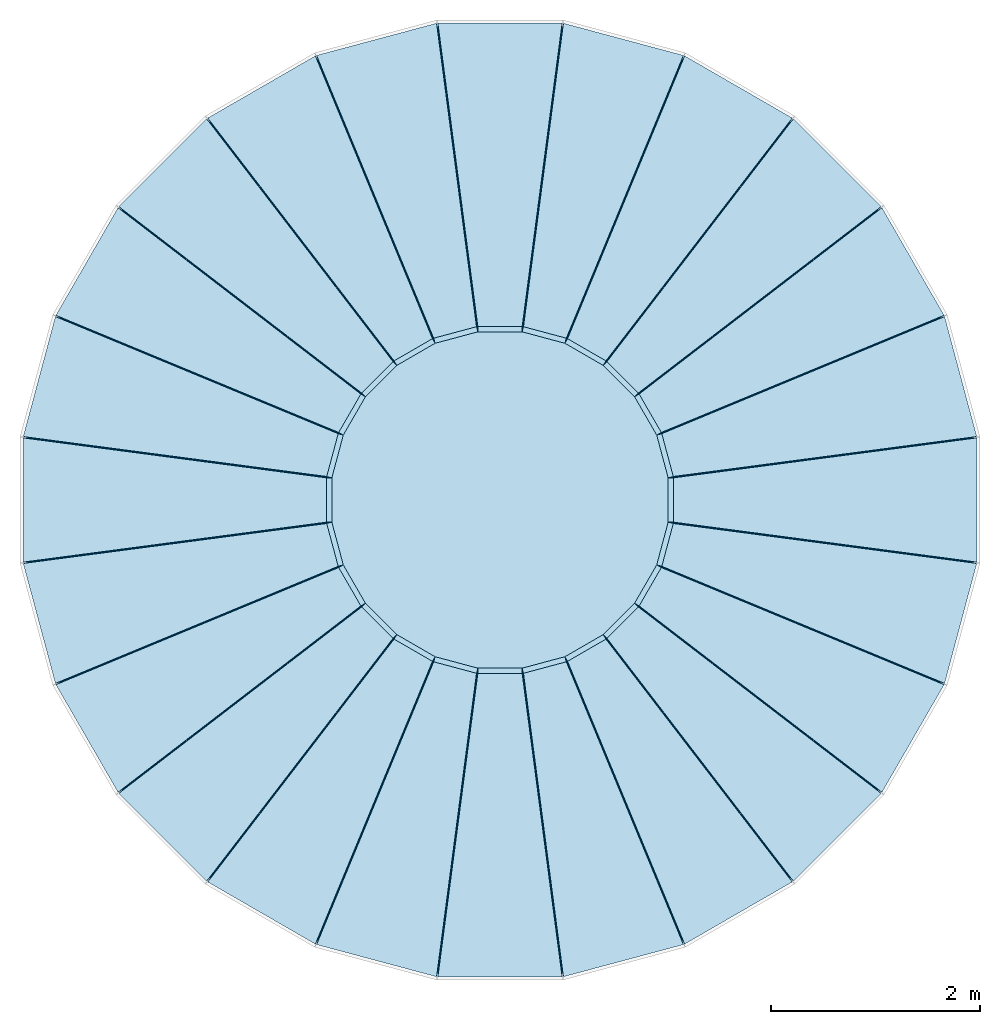
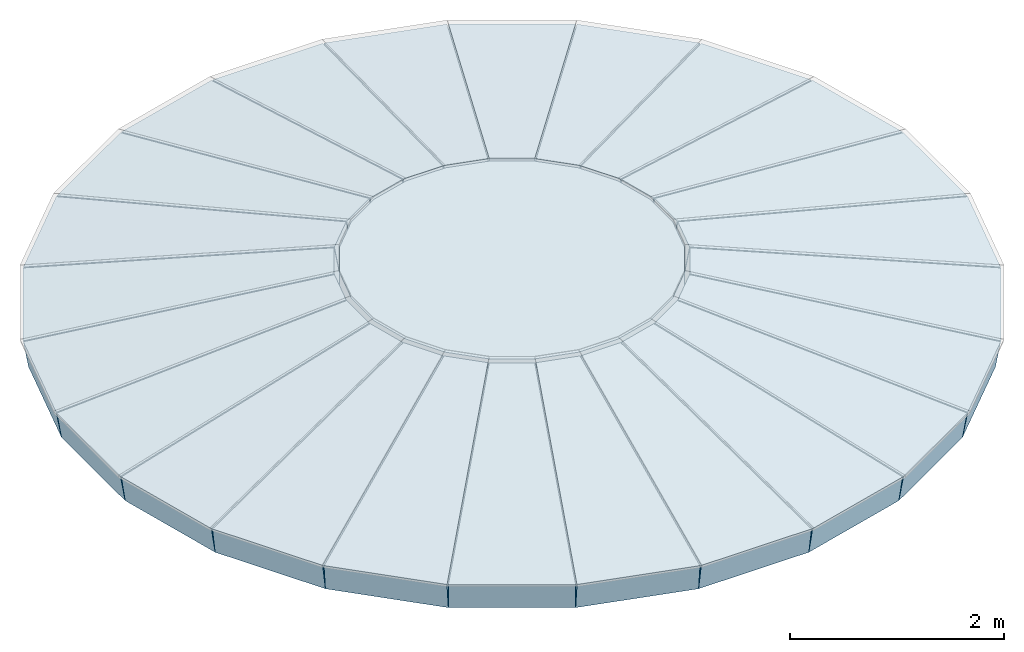
# One storey, part 1 of 2: 25 slabs.
"""IFC4 building model written with IfcOpenShell, lengths in metres."""

from ifc_helpers import new_model, si_unit, direction, frame, origin, place, context, subcontext, project, spatial, polyline, outline, extrude, material, layer, layer_set, type_object, element, save


model = new_model("IFC4")

# Units and contexts
model_context = context("Model", 3, precision=1e-05, world=origin(), true_north=direction((0.0, 1.0)))
body_context = subcontext(model_context, "Body", "Model", "MODEL_VIEW")
ifc_project = project(units=[si_unit("LENGTHUNIT", "METRE"), si_unit("AREAUNIT", "SQUARE_METRE"), si_unit("VOLUMEUNIT", "CUBIC_METRE"), si_unit("PLANEANGLEUNIT", "RADIAN"), si_unit("MASSUNIT", "GRAM", prefix="KILO")], contexts=[model_context])

# Site, building, storey
site_placement = place(None, origin())
site = spatial("IfcSite", under=ifc_project, at=site_placement, CompositionType="ELEMENT")
building_placement = place(site_placement, origin())
building = spatial("IfcBuilding", under=site, at=building_placement, Name="Golden Quay Civic Hall", CompositionType="ELEMENT")
storey_placement = place(building_placement, frame((0.0, 0.0, 35.199951171875)))
storey = spatial("IfcBuildingStorey", under=building, at=storey_placement, Name="Roof Crown", CompositionType="ELEMENT", Elevation=35.199951171875)

# Slabs
ifc_material = material(Name="Concrete C40/50", Category="concrete")
ifc_layer = layer(ifc_material, 0.300048828125)
ifc_layer_set = layer_set([ifc_layer], Name="Dome shell D1 300")
slab_type = type_object("IfcSlabType", Name="Dome shell D1 300", PredefinedType="ROOF", material=ifc_layer_set)
slab_1_placement = place(storey_placement, frame((90.069091796875, 86.108154296875, 1.0224609375), z_axis=(0.163110984276, 0.043714152329, 0.985638818074), x_axis=(-0.258862666428, 0.965914136934, -7.84674e-07)))
element("IfcSlab", 1, at=slab_1_placement, inside=storey, type_object=slab_type, Name="Dome shell panel 6.1", PredefinedType="ROOF", context=body_context, shape_type="SweptSolid", body=[
    extrude(outline(polyline([(0.0, 0.0), (1.19022811422238, -5.551115123125783e-17), (0.8075034210777096, 2.950790590232646), (0.38312401780501076, 2.9507830876413856), (0.0, 0.0)])), origin(), (0.0, 0.0, -1.0), 0.300048828125),
])
slab_2_placement = place(storey_placement, frame((89.756103515625, 87.27001953125, 1.0224609375), z_axis=(0.146224282851, 0.084461310925, 0.985639257569), x_axis=(-0.500068736123, 0.865985715088, -2.0389228e-05)))
element("IfcSlab", 2, at=slab_2_placement, inside=storey, type_object=slab_type, Name="Dome shell panel 6.2", PredefinedType="ROOF", context=body_context, shape_type="SweptSolid", body=[
    extrude(outline(polyline([(0.0, 0.0), (1.1902732587328555, -1.1102230246251565e-16), (0.8075652853863531, 2.950929193292535), (0.38315896174509806, 2.950734231945884), (0.0, 0.0)])), origin(), (0.0, 0.0, -1.0), 0.300048828125),
])
slab_3_placement = place(storey_placement, frame((89.15283203125, 88.311279296875, 1.0224609375), z_axis=(0.119402372684, 0.119402372684, 0.98563996814), x_axis=(-0.707106781187, 0.707106781187, 0.0)))
element("IfcSlab", 3, at=slab_3_placement, inside=storey, type_object=slab_type, Name="Dome shell panel 6.3", PredefinedType="ROOF", context=body_context, shape_type="SweptSolid", body=[
    extrude(outline(polyline([(0.0, 0.0), (1.1901352904052878, 0.0), (0.8072342062569084, 2.9509041423017077), (0.38290108414837953, 2.9509041423017077), (0.0, 0.0)])), origin(), (0.0, 0.0, -1.0), 0.300048828125),
])
slab_4_placement = place(storey_placement, frame((88.30078125, 89.160888671875, 1.0224609375), z_axis=(0.084461310925, 0.146224282851, 0.985639257569), x_axis=(-0.865985715088, 0.500068736123, 2.0389228e-05)))
element("IfcSlab", 4, at=slab_4_placement, inside=storey, type_object=slab_type, Name="Dome shell panel 6.4", PredefinedType="ROOF", context=body_context, shape_type="SweptSolid", body=[
    extrude(outline(polyline([(0.0, 0.0), (1.1902732587328555, 1.1102230246251565e-16), (0.807114296987757, 2.950734231945884), (0.38270797334650236, 2.9509291932925352), (0.0, 0.0)])), origin(), (0.0, 0.0, -1.0), 0.300048828125),
])
slab_5_placement = place(storey_placement, frame((87.2578125, 89.760986328125, 1.0224609375), z_axis=(0.043714152329, 0.163110984276, 0.985638818074), x_axis=(-0.965914136934, 0.258862666428, 7.84674e-07)))
element("IfcSlab", 5, at=slab_5_placement, inside=storey, type_object=slab_type, Name="Dome shell panel 6.5", PredefinedType="ROOF", context=body_context, shape_type="SweptSolid", body=[
    extrude(outline(polyline([(0.0, 0.0), (1.19022811422238, 5.551115123125783e-17), (0.8071040964173694, 2.9507830876413856), (0.38272469314467056, 2.950790590232646), (0.0, 0.0)])), origin(), (0.0, 0.0, -1.0), 0.300048828125),
])
slab_6_placement = place(storey_placement, frame((86.09521484375, 90.07080078125, 1.0224609375), z_axis=(0.0, 0.168865068555, 0.985639177702), x_axis=(-1.0, 0.0, 0.0)))
element("IfcSlab", 6, at=slab_6_placement, inside=storey, type_object=slab_type, Name="Dome shell panel 6.6", PredefinedType="ROOF", context=body_context, shape_type="SweptSolid", body=[
    extrude(outline(polyline([(0.0, 0.0), (1.1904296875, 0.0), (0.807373046875, 2.9508235177953517), (0.383056640625, 2.9508235177953517), (0.0, 0.0)])), origin(), (0.0, 0.0, -1.0), 0.300048828125),
])
slab_7_placement = place(storey_placement, frame((84.891845703125, 90.069091796875, 1.0224609375), z_axis=(-0.043714152329, 0.163110984276, 0.985638818074), x_axis=(-0.965914136934, -0.258862666428, -7.84674e-07)))
element("IfcSlab", 7, at=slab_7_placement, inside=storey, type_object=slab_type, Name="Dome shell panel 6.7", PredefinedType="ROOF", context=body_context, shape_type="SweptSolid", body=[
    extrude(outline(polyline([(0.0, 0.0), (1.19022811422238, -5.551115123125783e-17), (0.8075034210777096, 2.950790590232646), (0.38312401780501076, 2.9507830876413856), (0.0, 0.0)])), origin(), (0.0, 0.0, -1.0), 0.300048828125),
])
slab_8_placement = place(storey_placement, frame((83.72998046875, 89.756103515625, 1.0224609375), z_axis=(-0.084461310925, 0.146224282851, 0.985639257569), x_axis=(-0.865985715088, -0.500068736123, -2.0389228e-05)))
element("IfcSlab", 8, at=slab_8_placement, inside=storey, type_object=slab_type, Name="Dome shell panel 6.8", PredefinedType="ROOF", context=body_context, shape_type="SweptSolid", body=[
    extrude(outline(polyline([(0.0, 0.0), (1.1902732587328555, -1.1102230246251565e-16), (0.8075652853863531, 2.950929193292535), (0.38315896174509806, 2.950734231945884), (0.0, 0.0)])), origin(), (0.0, 0.0, -1.0), 0.300048828125),
])
slab_9_placement = place(storey_placement, frame((82.688720703125, 89.15283203125, 1.0224609375), z_axis=(-0.119402372684, 0.119402372684, 0.98563996814), x_axis=(-0.707106781187, -0.707106781187, 0.0)))
element("IfcSlab", 9, at=slab_9_placement, inside=storey, type_object=slab_type, Name="Dome shell panel 6.9", PredefinedType="ROOF", context=body_context, shape_type="SweptSolid", body=[
    extrude(outline(polyline([(0.0, 0.0), (1.1901352904052878, 0.0), (0.8072342062569084, 2.9509041423017077), (0.38290108414837953, 2.9509041423017077), (0.0, 0.0)])), origin(), (0.0, 0.0, -1.0), 0.300048828125),
])
slab_10_placement = place(storey_placement, frame((81.839111328125, 88.30078125, 1.0224609375), z_axis=(-0.146224282851, 0.084461310925, 0.985639257569), x_axis=(-0.500068736123, -0.865985715088, 2.0389228e-05)))
element("IfcSlab", 10, at=slab_10_placement, inside=storey, type_object=slab_type, Name="Dome shell panel 6.10", PredefinedType="ROOF", context=body_context, shape_type="SweptSolid", body=[
    extrude(outline(polyline([(0.0, 0.0), (1.1902732587328555, 1.1102230246251565e-16), (0.807114296987757, 2.950734231945884), (0.38270797334650236, 2.9509291932925352), (0.0, 0.0)])), origin(), (0.0, 0.0, -1.0), 0.300048828125),
])
slab_11_placement = place(storey_placement, frame((81.239013671875, 87.2578125, 1.0224609375), z_axis=(-0.163110984276, 0.043714152329, 0.985638818074), x_axis=(-0.258862666428, -0.965914136934, 7.84674e-07)))
element("IfcSlab", 11, at=slab_11_placement, inside=storey, type_object=slab_type, Name="Dome shell panel 6.11", PredefinedType="ROOF", context=body_context, shape_type="SweptSolid", body=[
    extrude(outline(polyline([(0.0, 0.0), (1.19022811422238, 5.551115123125783e-17), (0.8071040964173694, 2.9507830876413856), (0.38272469314467056, 2.950790590232646), (0.0, 0.0)])), origin(), (0.0, 0.0, -1.0), 0.300048828125),
])
slab_12_placement = place(storey_placement, frame((80.92919921875, 86.09521484375, 1.0224609375), z_axis=(-0.168865068555, 0.0, 0.985639177702), x_axis=(0.0, -1.0, 0.0)))
element("IfcSlab", 12, at=slab_12_placement, inside=storey, type_object=slab_type, Name="Dome shell panel 6.12", PredefinedType="ROOF", context=body_context, shape_type="SweptSolid", body=[
    extrude(outline(polyline([(0.0, 0.0), (1.1904296875, 0.0), (0.807373046875, 2.9508235177953517), (0.383056640625, 2.9508235177953517), (0.0, 0.0)])), origin(), (0.0, 0.0, -1.0), 0.300048828125),
])
slab_13_placement = place(storey_placement, frame((80.930908203125, 84.891845703125, 1.0224609375), z_axis=(-0.163110984276, -0.043714152329, 0.985638818074), x_axis=(0.258862666428, -0.965914136934, -7.84674e-07)))
element("IfcSlab", 13, at=slab_13_placement, inside=storey, type_object=slab_type, Name="Dome shell panel 6.13", PredefinedType="ROOF", context=body_context, shape_type="SweptSolid", body=[
    extrude(outline(polyline([(0.0, 0.0), (1.19022811422238, -5.551115123125783e-17), (0.8075034210777096, 2.950790590232646), (0.38312401780501076, 2.9507830876413856), (0.0, 0.0)])), origin(), (0.0, 0.0, -1.0), 0.300048828125),
])
slab_14_placement = place(storey_placement, frame((81.243896484375, 83.72998046875, 1.0224609375), z_axis=(-0.146224282851, -0.084461310925, 0.985639257569), x_axis=(0.500068736123, -0.865985715088, -2.0389228e-05)))
element("IfcSlab", 14, at=slab_14_placement, inside=storey, type_object=slab_type, Name="Dome shell panel 6.14", PredefinedType="ROOF", context=body_context, shape_type="SweptSolid", body=[
    extrude(outline(polyline([(0.0, 0.0), (1.1902732587328555, -1.1102230246251565e-16), (0.8075652853863531, 2.950929193292535), (0.38315896174509806, 2.950734231945884), (0.0, 0.0)])), origin(), (0.0, 0.0, -1.0), 0.300048828125),
])
slab_15_placement = place(storey_placement, frame((81.84716796875, 82.688720703125, 1.0224609375), z_axis=(-0.119402372684, -0.119402372684, 0.98563996814), x_axis=(0.707106781187, -0.707106781187, 0.0)))
element("IfcSlab", 15, at=slab_15_placement, inside=storey, type_object=slab_type, Name="Dome shell panel 6.15", PredefinedType="ROOF", context=body_context, shape_type="SweptSolid", body=[
    extrude(outline(polyline([(0.0, 0.0), (1.1901352904052878, 0.0), (0.8072342062569084, 2.9509041423017077), (0.38290108414837953, 2.9509041423017077), (0.0, 0.0)])), origin(), (0.0, 0.0, -1.0), 0.300048828125),
])
slab_16_placement = place(storey_placement, frame((82.69921875, 81.839111328125, 1.0224609375), z_axis=(-0.084461310925, -0.146224282851, 0.985639257569), x_axis=(0.865985715088, -0.500068736123, 2.0389228e-05)))
element("IfcSlab", 16, at=slab_16_placement, inside=storey, type_object=slab_type, Name="Dome shell panel 6.16", PredefinedType="ROOF", context=body_context, shape_type="SweptSolid", body=[
    extrude(outline(polyline([(0.0, 0.0), (1.1902732587328555, 1.1102230246251565e-16), (0.807114296987757, 2.950734231945884), (0.38270797334650236, 2.9509291932925352), (0.0, 0.0)])), origin(), (0.0, 0.0, -1.0), 0.300048828125),
])
slab_17_placement = place(storey_placement, frame((83.7421875, 81.239013671875, 1.0224609375), z_axis=(-0.043714152329, -0.163110984276, 0.985638818074), x_axis=(0.965914136934, -0.258862666428, 7.84674e-07)))
element("IfcSlab", 17, at=slab_17_placement, inside=storey, type_object=slab_type, Name="Dome shell panel 6.17", PredefinedType="ROOF", context=body_context, shape_type="SweptSolid", body=[
    extrude(outline(polyline([(0.0, 0.0), (1.19022811422238, 5.551115123125783e-17), (0.8071040964173694, 2.9507830876413856), (0.38272469314467056, 2.950790590232646), (0.0, 0.0)])), origin(), (0.0, 0.0, -1.0), 0.300048828125),
])
slab_18_placement = place(storey_placement, frame((84.90478515625, 80.92919921875, 1.0224609375), z_axis=(0.0, -0.168865068555, 0.985639177702), x_axis=(1.0, 0.0, 0.0)))
element("IfcSlab", 18, at=slab_18_placement, inside=storey, type_object=slab_type, Name="Dome shell panel 6.18", PredefinedType="ROOF", context=body_context, shape_type="SweptSolid", body=[
    extrude(outline(polyline([(0.0, 0.0), (1.1904296875, 0.0), (0.807373046875, 2.9508235177953517), (0.383056640625, 2.9508235177953517), (0.0, 0.0)])), origin(), (0.0, 0.0, -1.0), 0.300048828125),
])
slab_19_placement = place(storey_placement, frame((86.108154296875, 80.930908203125, 1.0224609375), z_axis=(0.043714152329, -0.163110984276, 0.985638818074), x_axis=(0.965914136934, 0.258862666428, -7.84674e-07)))
element("IfcSlab", 19, at=slab_19_placement, inside=storey, type_object=slab_type, Name="Dome shell panel 6.19", PredefinedType="ROOF", context=body_context, shape_type="SweptSolid", body=[
    extrude(outline(polyline([(0.0, 0.0), (1.19022811422238, -5.551115123125783e-17), (0.8075034210777096, 2.950790590232646), (0.38312401780501076, 2.9507830876413856), (0.0, 0.0)])), origin(), (0.0, 0.0, -1.0), 0.300048828125),
])
slab_20_placement = place(storey_placement, frame((87.27001953125, 81.243896484375, 1.0224609375), z_axis=(0.084461310925, -0.146224282851, 0.985639257569), x_axis=(0.865985715088, 0.500068736123, -2.0389228e-05)))
element("IfcSlab", 20, at=slab_20_placement, inside=storey, type_object=slab_type, Name="Dome shell panel 6.20", PredefinedType="ROOF", context=body_context, shape_type="SweptSolid", body=[
    extrude(outline(polyline([(0.0, 0.0), (1.1902732587328555, -1.1102230246251565e-16), (0.8075652853863531, 2.950929193292535), (0.38315896174509806, 2.950734231945884), (0.0, 0.0)])), origin(), (0.0, 0.0, -1.0), 0.300048828125),
])
slab_21_placement = place(storey_placement, frame((88.311279296875, 81.84716796875, 1.0224609375), z_axis=(0.119402372684, -0.119402372684, 0.98563996814), x_axis=(0.707106781187, 0.707106781187, 0.0)))
element("IfcSlab", 21, at=slab_21_placement, inside=storey, type_object=slab_type, Name="Dome shell panel 6.21", PredefinedType="ROOF", context=body_context, shape_type="SweptSolid", body=[
    extrude(outline(polyline([(0.0, 0.0), (1.1901352904052878, 0.0), (0.8072342062569084, 2.9509041423017077), (0.38290108414837953, 2.9509041423017077), (0.0, 0.0)])), origin(), (0.0, 0.0, -1.0), 0.300048828125),
])
slab_22_placement = place(storey_placement, frame((89.160888671875, 82.69921875, 1.0224609375), z_axis=(0.146224282851, -0.084461310925, 0.985639257569), x_axis=(0.500068736123, 0.865985715088, 2.0389228e-05)))
element("IfcSlab", 22, at=slab_22_placement, inside=storey, type_object=slab_type, Name="Dome shell panel 6.22", PredefinedType="ROOF", context=body_context, shape_type="SweptSolid", body=[
    extrude(outline(polyline([(0.0, 0.0), (1.1902732587328555, 1.1102230246251565e-16), (0.807114296987757, 2.950734231945884), (0.38270797334650236, 2.9509291932925352), (0.0, 0.0)])), origin(), (0.0, 0.0, -1.0), 0.300048828125),
])
slab_23_placement = place(storey_placement, frame((89.760986328125, 83.7421875, 1.0224609375), z_axis=(0.163110984276, -0.043714152329, 0.985638818074), x_axis=(0.258862666428, 0.965914136934, 7.84674e-07)))
element("IfcSlab", 23, at=slab_23_placement, inside=storey, type_object=slab_type, Name="Dome shell panel 6.23", PredefinedType="ROOF", context=body_context, shape_type="SweptSolid", body=[
    extrude(outline(polyline([(0.0, 0.0), (1.19022811422238, 5.551115123125783e-17), (0.8071040964173694, 2.9507830876413856), (0.38272469314467056, 2.950790590232646), (0.0, 0.0)])), origin(), (0.0, 0.0, -1.0), 0.300048828125),
])
slab_24_placement = place(storey_placement, frame((90.07080078125, 84.90478515625, 1.0224609375), z_axis=(0.168865068555, 0.0, 0.985639177702), x_axis=(0.0, 1.0, 0.0)))
element("IfcSlab", 24, at=slab_24_placement, inside=storey, type_object=slab_type, Name="Dome shell panel 6.24", PredefinedType="ROOF", context=body_context, shape_type="SweptSolid", body=[
    extrude(outline(polyline([(0.0, 0.0), (1.1904296875, 0.0), (0.807373046875, 2.9508235177953517), (0.383056640625, 2.9508235177953517), (0.0, 0.0)])), origin(), (0.0, 0.0, -1.0), 0.300048828125),
])
slab_25_placement = place(storey_placement, frame((0.0, 0.0, 1.2294921875)))
element("IfcSlab", 25, at=slab_25_placement, inside=storey, type_object=slab_type, Name="Dome crown cap", PredefinedType="ROOF", context=body_context, shape_type="SweptSolid", body=[
    extrude(outline(polyline([(87.112060546875, 85.712158203125), (87.002197265625, 86.122314453125), (86.7900390625, 86.48974609375), (86.48974609375, 86.7900390625), (86.122314453125, 87.002197265625), (85.712158203125, 87.112060546875), (85.287841796875, 87.112060546875), (84.877685546875, 87.002197265625), (84.51025390625, 86.7900390625), (84.2099609375, 86.48974609375), (83.997802734375, 86.122314453125), (83.887939453125, 85.712158203125), (83.887939453125, 85.287841796875), (83.997802734375, 84.877685546875), (84.2099609375, 84.51025390625), (84.51025390625, 84.2099609375), (84.877685546875, 83.997802734375), (85.287841796875, 83.887939453125), (85.712158203125, 83.887939453125), (86.122314453125, 83.997802734375), (86.48974609375, 84.2099609375), (86.7900390625, 84.51025390625), (87.002197265625, 84.877685546875), (87.112060546875, 85.287841796875), (87.112060546875, 85.712158203125)])), origin(), (0.0, 0.0, 1.0), 0.300048828125),
])

save(model, "model.ifc")
